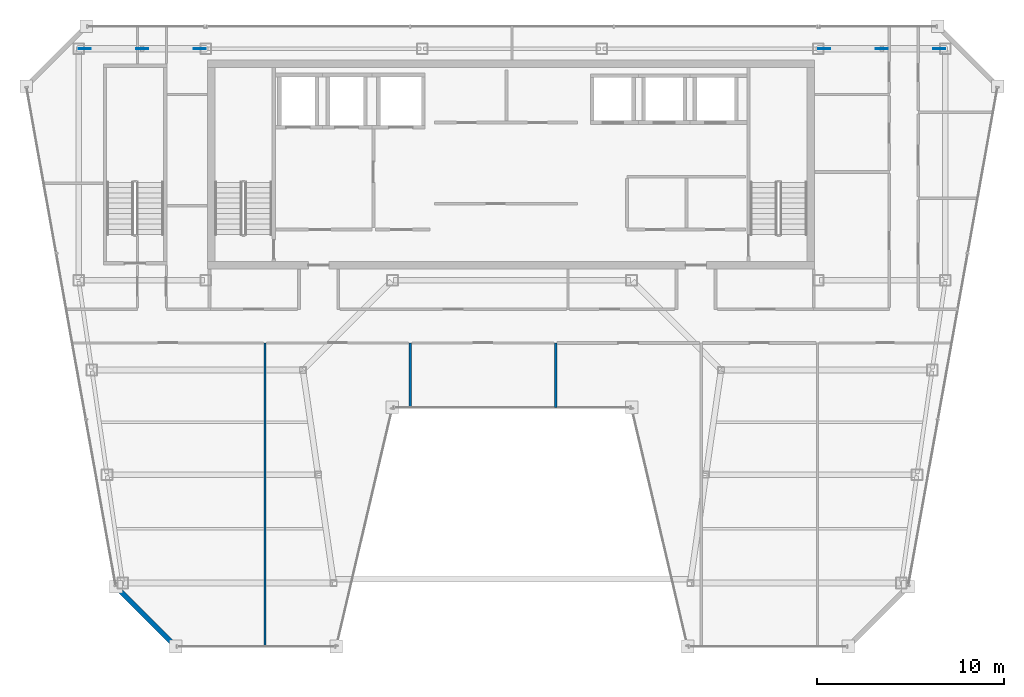
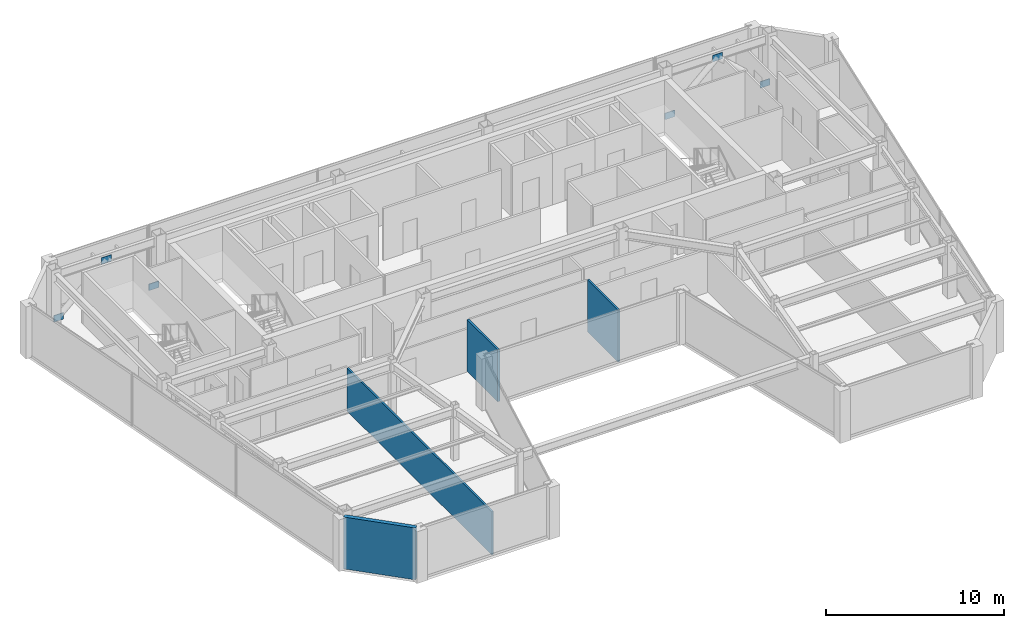
# One storey, part 26 of 32: 6 plates, 4 walls.
"""IFC4 building model written with IfcOpenShell, lengths in metres."""

from ifc_helpers import new_model, si_unit, direction, frame, frame_2d, origin, origin_2d, place, context, subcontext, project, spatial, rectangle, extrude, material, layer, layer_set, type_object, element, save


model = new_model("IFC4")

# Units and contexts
model_context = context("Model", 3, precision=1e-05, world=origin(), true_north=direction((0.0, 1.0)))
body_context = subcontext(model_context, "Body", "Model", "MODEL_VIEW")
ifc_project = project(units=[si_unit("LENGTHUNIT", "METRE"), si_unit("AREAUNIT", "SQUARE_METRE"), si_unit("VOLUMEUNIT", "CUBIC_METRE"), si_unit("PLANEANGLEUNIT", "RADIAN"), si_unit("MASSUNIT", "GRAM", prefix="KILO")], contexts=[model_context])

# Site, building, storey
site_placement = place(None, origin())
site = spatial("IfcSite", under=ifc_project, at=site_placement, CompositionType="ELEMENT")
building_placement = place(site_placement, origin())
building = spatial("IfcBuilding", under=site, at=building_placement, Name="Saevonmaru Cultural Tower", CompositionType="ELEMENT")
storey_placement = place(building_placement, frame((0.0, 0.0, 261.0)))
storey = spatial("IfcBuildingStorey", under=building, at=storey_placement, Name="L61", CompositionType="ELEMENT", Elevation=261.0)

# Plates
ifc_material_1 = material(Name="Steel HSA600 (600 MPa)", Category="steel")
ifc_layer_1 = layer(ifc_material_1, 0.0400390625, Name="Steel HSA600 (600 MPa)")
ifc_layer_set_1 = layer_set([ifc_layer_1], Name="Steel HSA600 (600 MPa)")
plate_type = type_object("IfcPlateType", Name="PL-GUSSET-EXT", PredefinedType="USERDEFINED", material=ifc_layer_set_1)
for number, where, z_axis, x_axis, name in (
    (1, (10.199951171875, 54.800048828125, 2.900146484375), (0.0, 0.0, 1.0), (1.0, 0.0, 0.0), "L61 Perimeter Tube Gusset Plate"),
    (2, (7.1201171875, 54.800048828125, 0.02001953125), (0.0, 0.0, 1.0), (1.0, 0.0, 0.0), "L61 Perimeter Tube Gusset Plate"),
    (3, (13.280029296875, 54.800048828125, 0.02001953125), (0.0, 0.0, 1.0), (1.0, 0.0, 0.0), "L61 Perimeter Tube Gusset Plate"),
    (4, (49.800048828125, 54.800048828125, 2.900146484375), (0.0, 0.0, 1.0), (1.0, 0.0, 0.0), "L61 Perimeter Tube Gusset Plate"),
    (5, (46.719970703125, 54.800048828125, 0.02001953125), (0.0, 0.0, 1.0), (1.0, 0.0, 0.0), "L61 Perimeter Tube Gusset Plate"),
    (6, (52.8798828125, 54.800048828125, 0.02001953125), (0.0, 0.0, 1.0), (1.0, 0.0, 0.0), "L61 Perimeter Tube Gusset Plate"),
):
    element("IfcPlate", number, at=place(storey_placement, frame(where, z_axis=z_axis, x_axis=x_axis)), inside=storey, type_object=plate_type, Name=name, ObjectType="GUSSET_PLATE", PredefinedType="USERDEFINED", context=body_context, shape_type="SweptSolid", body=[
        extrude(rectangle(XDim=0.639892578125, YDim=0.0400390625, at=origin_2d()), origin(), (0.0, 0.0, 1.0), 0.43994140625),
    ])

# Walls
ifc_material_2 = material(Name="Granite-Clad Precast Concrete C40/50", Category="masonry")
ifc_layer_2 = layer(ifc_material_2, 0.260009765625, Name="Granite-Clad Precast Concrete C40/50")
ifc_layer_set_2 = layer_set([ifc_layer_2], Name="Granite-Clad Precast Concrete C40/50")
wall_type_1 = type_object("IfcWallType", Name="WL-EXT-SPANDREL-260", PredefinedType="STANDARD", material=ifc_layer_set_2)
wall_1_placement = place(storey_placement, frame((8.90869140625, 25.886962890625, 0.0), z_axis=(0.0, 0.0, 1.0), x_axis=(0.707106781187, -0.707106781187, 0.0)))
element("IfcWall", 7, at=wall_1_placement, inside=storey, type_object=wall_type_1, Name="L61 Chamfer Corner Spandrel Wall E1", PredefinedType="STANDARD", context=body_context, shape_type="SweptSolid", body=[
    extrude(rectangle(XDim=4.205810546875, YDim=0.260009765625, at=frame_2d((2.10302734375, 0.0))), origin(), (0.0, 0.0, 1.0), 3.550048828125),
])
ifc_material_3 = material(Name="Gypsum Fireboard Partition", Category="gypsum")
ifc_layer_3 = layer(ifc_material_3, 0.1201171875, Name="Gypsum Fireboard Partition")
ifc_layer_set_3 = layer_set([ifc_layer_3], Name="Gypsum Fireboard Partition")
wall_type_2 = type_object("IfcWallType", Name="WL-PART-GYP-120", PredefinedType="PARTITIONING", material=ifc_layer_set_3)
wall_2_placement = place(storey_placement, frame((16.77001953125, 22.804931640625, 0.0), z_axis=(0.0, 0.0, 1.0), x_axis=(0.0, 1.0, 0.0)))
element("IfcWall", 8, at=wall_2_placement, inside=storey, type_object=wall_type_2, Name="L61 Observatory Bay Divider 1", PredefinedType="PARTITIONING", context=body_context, shape_type="SweptSolid", body=[
    extrude(rectangle(XDim=16.2451171875, YDim=0.1201171875, at=frame_2d((8.12255859375, 0.0))), origin(), (0.0, 0.0, 1.0), 2.947021484375),
])
wall_3_placement = place(storey_placement, frame((32.340087890625, 35.60498046875, 0.0), z_axis=(0.0, 0.0, 1.0), x_axis=(0.0, 1.0, 0.0)))
element("IfcWall", 9, at=wall_3_placement, inside=storey, type_object=wall_type_2, Name="L61 Observatory Bay Divider 3", PredefinedType="PARTITIONING", context=body_context, shape_type="SweptSolid", body=[
    extrude(rectangle(XDim=3.445068359375, YDim=0.1201171875, at=frame_2d((1.72265625, 0.0))), origin(), (0.0, 0.0, 1.0), 3.550048828125),
])
ifc_layer_4 = layer(ifc_material_3, 0.135009765625, Name="Gypsum Fireboard Partition")
ifc_layer_set_4 = layer_set([ifc_layer_4], Name="Gypsum Fireboard Partition")
wall_type_3 = type_object("IfcWallType", Name="WL-PART-GYP-135", PredefinedType="PARTITIONING", material=ifc_layer_set_4)
wall_4_placement = place(storey_placement, frame((24.550048828125, 35.60498046875, 0.0), z_axis=(0.0, 0.0, 1.0), x_axis=(0.0, 1.0, 0.0)))
element("IfcWall", 10, at=wall_4_placement, inside=storey, type_object=wall_type_3, Name="L61 Observatory Bay Divider 2", PredefinedType="PARTITIONING", context=body_context, shape_type="SweptSolid", body=[
    extrude(rectangle(XDim=3.445068359375, YDim=0.135009765625, at=frame_2d((1.72265625, 0.0))), origin(), (0.0, 0.0, 1.0), 3.550048828125),
])

save(model, "model.ifc")
